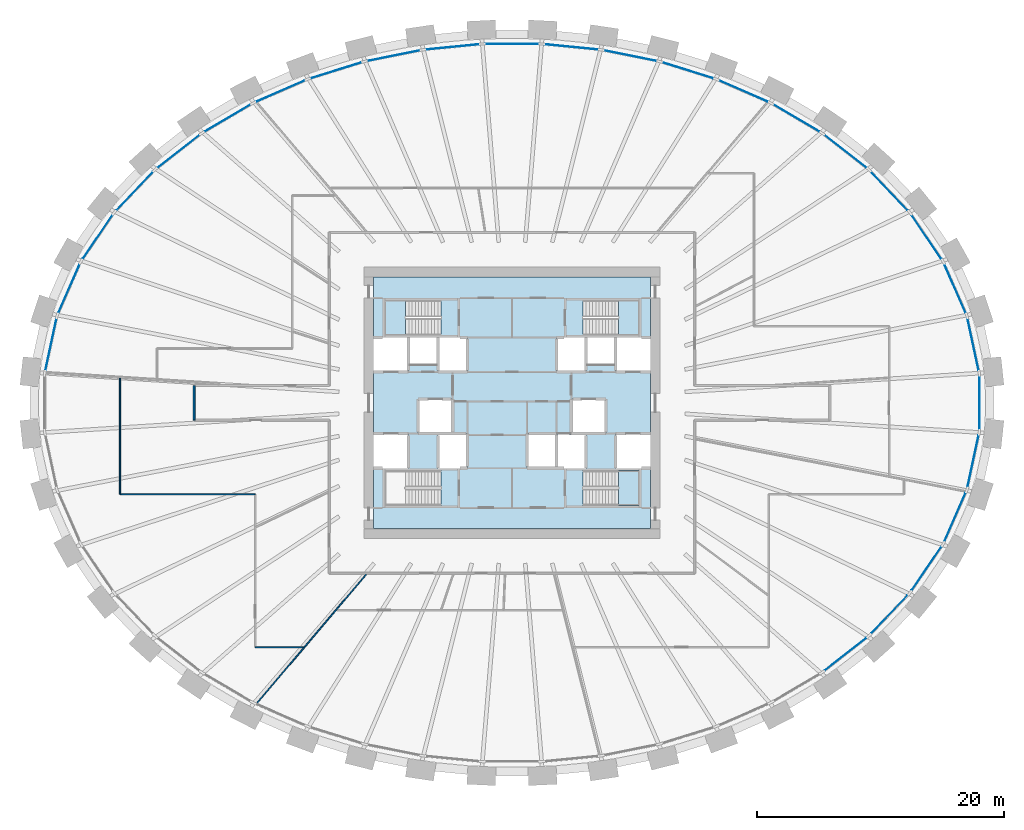
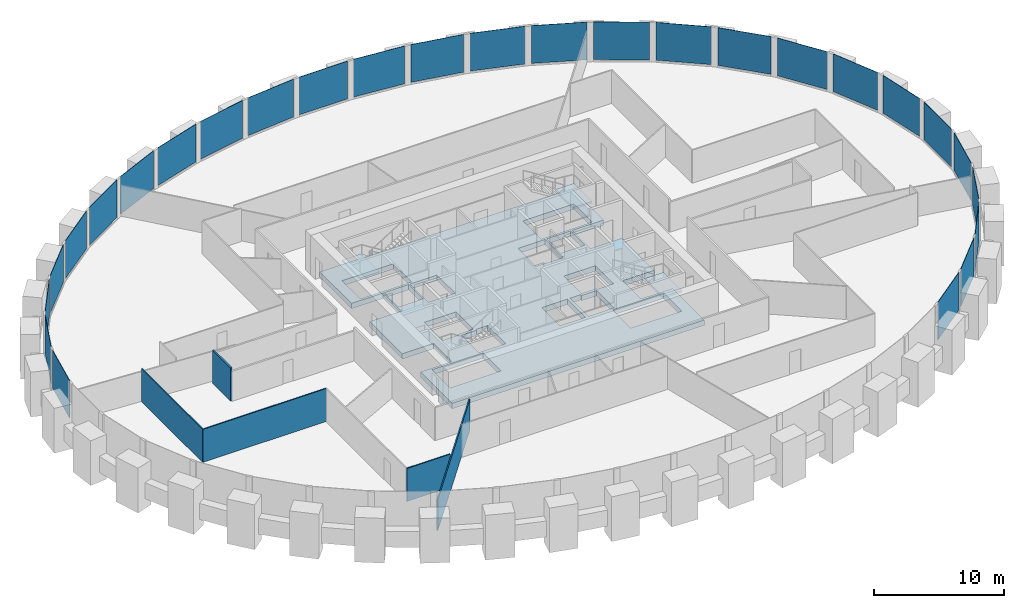
# One storey, part 5 of 11: 27 plates, 5 walls, 4 slabs, 4 elements without a shape of their own.
"""IFC4 building model written with IfcOpenShell, lengths in metres."""

import ifcopenshell
import ifcopenshell.guid

model = None  # the IFC model being written
_history = None  # IfcOwnerHistory: only IFC2X3 demands one
_inside = {}  # id of a spatial element -> (the spatial element, [elements in it])
_under = {}  # id of a project, library or spatial element -> (it, [spatial elements below it])
_declared = {}  # id of a project -> (the project, [libraries it declares])
_typed = {}  # id of a type object -> (the type object, [elements of that type])
_made_of = {}  # id of a material, layer set ... -> (it, [elements and type objects made of it])


def new_model(schema):
    """Start an empty IFC model of exactly this schema.

    Asked for "IFC4X3", IfcOpenShell would pick the latest addendum, in which some entities
    have other attributes; the version numbers below select the first issue.
    IFC2X3 requires an IfcOwnerHistory on every rooted entity: one is made here for all.
    """
    global model, _history
    if schema == "IFC4X3":
        model = ifcopenshell.file(schema_version=(4, 3, 0, 0))
    else:
        model = ifcopenshell.file(schema=schema)
    _inside.clear()
    _under.clear()
    _declared.clear()
    _typed.clear()
    _made_of.clear()
    _history = None
    if model.schema == "IFC2X3":
        org = make("IfcOrganization", Name="unknown")
        user = make(
            "IfcPersonAndOrganization",
            ThePerson=make("IfcPerson", FamilyName="unknown"),
            TheOrganization=org,
        )
        app = make(
            "IfcApplication",
            ApplicationDeveloper=org,
            Version="unknown",
            ApplicationFullName="unknown",
            ApplicationIdentifier="unknown",
        )
        _history = make(
            "IfcOwnerHistory",
            OwningUser=user,
            OwningApplication=app,
            ChangeAction="ADDED",
            CreationDate=0,
        )
    return model


def make(cls, **values):
    """One entity of the class cls with the attributes given. An attribute that is None is left unset."""
    return model.create_entity(
        cls, **{name: value for name, value in values.items() if value is not None}
    )


def rooted(cls, **values):
    """An entity with a GlobalId (a new one), such as an element, a storey or a relation."""
    return make(cls, GlobalId=ifcopenshell.guid.new(), OwnerHistory=_history, **values)


def si_unit(unit_type, name, prefix=None):
    """IfcSIUnit, for example si_unit("LENGTHUNIT", "METRE", prefix="MILLI")."""
    return make("IfcSIUnit", UnitType=unit_type, Prefix=prefix, Name=name)


def assignment(units):
    """IfcUnitAssignment: the units of a project."""
    return None if units is None else make("IfcUnitAssignment", Units=units)


def point(xyz):
    """IfcCartesianPoint."""
    return None if xyz is None else make("IfcCartesianPoint", Coordinates=xyz)


def direction(xyz):
    """IfcDirection."""
    return None if xyz is None else make("IfcDirection", DirectionRatios=xyz)


def frame(location, z_axis=None, x_axis=None):
    """IfcAxis2Placement3D, a coordinate frame: its origin and axes. An axis left out is left unset."""
    return make(
        "IfcAxis2Placement3D",
        Location=point(location),
        Axis=direction(z_axis),
        RefDirection=direction(x_axis),
    )


def frame_2d(location, x_axis=None):
    """IfcAxis2Placement2D, a coordinate frame in the plane: its origin and x axis."""
    return make(
        "IfcAxis2Placement2D", Location=point(location), RefDirection=direction(x_axis)
    )


def origin():
    """The frame at (0, 0, 0) with its axes left unset."""
    return frame((0.0, 0.0, 0.0))


def origin_2d():
    """The frame at (0, 0) in the plane with its x axis left unset."""
    return frame_2d((0.0, 0.0))


def place(relative_to, where):
    """IfcLocalPlacement: puts the frame where relative to a parent placement (None: the world)."""
    return make(
        "IfcLocalPlacement", PlacementRelTo=relative_to, RelativePlacement=where
    )


def context(
    kind, dimensions, precision=None, world=None, true_north=None, identifier=None
):
    """IfcGeometricRepresentationContext, for example the 3D "Model" context."""
    return make(
        "IfcGeometricRepresentationContext",
        ContextIdentifier=identifier,
        ContextType=kind,
        CoordinateSpaceDimension=dimensions,
        Precision=precision,
        WorldCoordinateSystem=world,
        TrueNorth=true_north,
    )


def subcontext(parent, identifier, kind, view, scale=None):
    """IfcGeometricRepresentationSubContext, for example "Body" below "Model"."""
    return make(
        "IfcGeometricRepresentationSubContext",
        ContextIdentifier=identifier,
        ContextType=kind,
        ParentContext=parent,
        TargetScale=scale,
        TargetView=view,
    )


def project(units=None, contexts=None):
    """IfcProject with its units and contexts."""
    return rooted(
        "IfcProject",
        Name="project",
        RepresentationContexts=contexts,
        UnitsInContext=assignment(units),
    )


def spatial(cls, under=None, at=None, **own):
    """A site, building, storey or space (cls), placed at a placement, below another one or the project."""
    s = rooted(cls, ObjectPlacement=at, **own)
    if under is not None:
        _under.setdefault(under.id(), (under, []))[1].append(s)
    return s


def polyline(points):
    """IfcPolyline through the points."""
    return make("IfcPolyline", Points=[point(p) for p in points])


def profile(cls, at=None, kind="AREA", **sizes):
    """A parametric profile (cls). Its sizes go by their IFC names, for example OverallWidth=200.0."""
    return make(cls, ProfileType=kind, Position=at, **sizes)


def rectangle(**sizes):
    """IfcRectangleProfileDef."""
    return profile("IfcRectangleProfileDef", **sizes)


def outline(outer, holes=None, kind="AREA"):
    """IfcArbitraryClosedProfileDef: a profile drawn as a closed curve; with holes, ...WithVoids."""
    if holes is None:
        return make("IfcArbitraryClosedProfileDef", ProfileType=kind, OuterCurve=outer)
    return make(
        "IfcArbitraryProfileDefWithVoids",
        ProfileType=kind,
        OuterCurve=outer,
        InnerCurves=holes,
    )


def extrude(swept, where, along, depth):
    """IfcExtrudedAreaSolid: the profile swept, set in the frame where, extruded along a direction by depth."""
    return make(
        "IfcExtrudedAreaSolid",
        SweptArea=swept,
        Position=where,
        ExtrudedDirection=direction(along),
        Depth=depth,
    )


def shape(context_of_items, identifier, shape_type, items):
    """IfcShapeRepresentation: the items that make up one representation, for example the "Body"."""
    return make(
        "IfcShapeRepresentation",
        ContextOfItems=context_of_items,
        RepresentationIdentifier=identifier,
        RepresentationType=shape_type,
        Items=items,
    )


def source(mapping_origin, context_of_items, identifier, shape_type, items):
    """IfcRepresentationMap: a shape defined once, which mapped items show again and again."""
    return make(
        "IfcRepresentationMap",
        MappingOrigin=mapping_origin,
        MappedRepresentation=shape(context_of_items, identifier, shape_type, items),
    )


def transform(
    local_origin,
    x_axis=None,
    y_axis=None,
    z_axis=None,
    scale=None,
    scale2=None,
    scale3=None,
    uniform=True,
):
    """IfcCartesianTransformationOperator3D, or its non-uniform kind. x_axis, y_axis, z_axis: its Axis1, 2, 3."""
    if uniform:
        return make(
            "IfcCartesianTransformationOperator3D",
            Axis1=direction(x_axis),
            Axis2=direction(y_axis),
            LocalOrigin=point(local_origin),
            Scale=scale,
            Axis3=direction(z_axis),
        )
    return make(
        "IfcCartesianTransformationOperator3DnonUniform",
        Axis1=direction(x_axis),
        Axis2=direction(y_axis),
        LocalOrigin=point(local_origin),
        Scale=scale,
        Axis3=direction(z_axis),
        Scale2=scale2,
        Scale3=scale3,
    )


def mapped(mapping_source, mapping_target):
    """IfcMappedItem: shows the shape of a source again, moved by a transform."""
    return make(
        "IfcMappedItem", MappingSource=mapping_source, MappingTarget=mapping_target
    )


def material(Name=None, Category=None):
    """IfcMaterial."""
    return make("IfcMaterial", Name=Name, Category=Category)


def layer(
    of_material, thickness, ventilated=None, Name=None, Category=None, Priority=None
):
    """IfcMaterialLayer: one layer of a wall or slab, of a material (None: an air gap)."""
    return make(
        "IfcMaterialLayer",
        Material=of_material,
        LayerThickness=thickness,
        IsVentilated=ventilated,
        Name=Name,
        Category=Category,
        Priority=Priority,
    )


def layer_set(layers, Name=None):
    """IfcMaterialLayerSet."""
    return make("IfcMaterialLayerSet", MaterialLayers=layers, LayerSetName=Name)


def made_of(thing, what):
    """Note that an element or type object is made of a material, layer set ...; save() writes the relation."""
    if what is not None:
        _made_of.setdefault(what.id(), (what, []))[1].append(thing)
    return thing


def type_object(cls, material=None, **own):
    """A type object (cls), such as IfcWallType, which elements share."""
    return made_of(rooted(cls, **own), material)


def element(
    cls,
    number,
    at=None,
    inside=None,
    cuts=None,
    type_object=None,
    material=None,
    context=None,
    identifier="Body",
    shape_type=None,
    held_by="IfcProductDefinitionShape",
    body=None,
    shapes=None,
    **own,
):
    """One element of the class cls, such as IfcWall. Its Tag is "e" and its number.

    at: its placement. inside: the storey or other place that contains it. cuts: it is an
    opening in that element (IfcRelVoidsElement). A single representation is given by context,
    identifier, shape_type and body (its items); several are given by shapes. held_by: the class
    of the entity that holds the representations. save() writes the other relations.
    """
    e = rooted(cls, Tag="e%d" % number, ObjectPlacement=at, **own)
    if body is not None:
        shapes = [shape(context, identifier, shape_type, body)]
    if shapes is not None:
        e.Representation = make(held_by, Representations=shapes)
    if inside is not None:
        _inside.setdefault(inside.id(), (inside, []))[1].append(e)
    if cuts is not None:
        rooted(
            "IfcRelVoidsElement", RelatingBuildingElement=cuts, RelatedOpeningElement=e
        )
    if type_object is not None:
        _typed.setdefault(type_object.id(), (type_object, []))[1].append(e)
    return made_of(e, material)


def aggregate(whole, parts):
    """IfcRelAggregates: a whole, such as a stair, and the parts it consists of."""
    return rooted("IfcRelAggregates", RelatingObject=whole, RelatedObjects=parts)


def save(model, path):
    """Write the relations noted so far, then the file.

    IfcRelAggregates (storeys below a building ...), IfcRelContainedInSpatialStructure (elements
    in a storey), IfcRelDefinesByType, IfcRelAssociatesMaterial and IfcRelDeclares: one each for
    every whole, place, type object, material and project.
    """
    for whole, parts in _under.values():
        aggregate(whole, parts)
    for where, things in _inside.values():
        rooted(
            "IfcRelContainedInSpatialStructure",
            RelatedElements=things,
            RelatingStructure=where,
        )
    for kind, things in _typed.values():
        rooted("IfcRelDefinesByType", RelatedObjects=things, RelatingType=kind)
    for what, things in _made_of.values():
        rooted("IfcRelAssociatesMaterial", RelatedObjects=things, RelatingMaterial=what)
    for by, libraries in _declared.values():
        rooted("IfcRelDeclares", RelatingContext=by, RelatedDefinitions=libraries)
    model.write(path)


model = new_model("IFC4")

# Units and contexts
model_context = context("Model", 3, precision=1e-05, world=origin(), true_north=direction((0.0, 1.0)))
body_context = subcontext(model_context, "Body", "Model", "MODEL_VIEW")
ifc_project = project(units=[si_unit("LENGTHUNIT", "METRE"), si_unit("AREAUNIT", "SQUARE_METRE"), si_unit("VOLUMEUNIT", "CUBIC_METRE"), si_unit("PLANEANGLEUNIT", "RADIAN"), si_unit("MASSUNIT", "GRAM", prefix="KILO")], contexts=[model_context])

# Site, building, storey
site_placement = place(None, origin())
site = spatial("IfcSite", under=ifc_project, at=site_placement, CompositionType="ELEMENT")
building_placement = place(site_placement, origin())
building = spatial("IfcBuilding", under=site, at=building_placement, Name="Embergate Tower", CompositionType="ELEMENT")
storey_placement = place(building_placement, frame((0.0, 0.0, 132.0)))
storey = spatial("IfcBuildingStorey", under=building, at=storey_placement, Name="L28", CompositionType="ELEMENT", Elevation=132.0)

# Curtain wall, plates
ifc_material_1 = material(Name="Aluminium and glass", Category="aluminium")
curtain_wall_type = type_object("IfcCurtainWallType", Name="Recessed office glazing", PredefinedType="NOTDEFINED", material=ifc_material_1)
curtain_wall_placement = place(storey_placement, origin())
curtain_wall = element("IfcCurtainWall", 1, at=curtain_wall_placement, inside=storey, type_object=curtain_wall_type, Name="Recessed office glazing ring", ObjectType="RECESSED OFFICE GLAZING", PredefinedType="USERDEFINED")
ifc_material_2 = material(Name="Triple glazing, low-emissivity coating", Category="glass")
ifc_layer_1 = layer(ifc_material_2, 0.035888671875)
ifc_layer_set_1 = layer_set([ifc_layer_1], Name="Triple glazing, low-emissivity coating")
plate_type = type_object("IfcPlateType", Name="Office glazing unit", PredefinedType="CURTAIN_PANEL", material=ifc_layer_set_1)
shared_shape_1 = source(origin(), body_context, "Body", "SweptSolid", [
    extrude(rectangle(XDim=4.257080078125, YDim=0.035888671875, at=origin_2d()), origin(), (0.0, 0.0, 1.0), 3.550048828125),
])
plate_1_placement = place(storey_placement, frame((37.345458984375, 4.722412109375, 0.14990234375), z_axis=(0.0, 0.0, 1.0), x_axis=(-0.210398391177, 0.97761573074, 0.0)))
plate_1 = element("IfcPlate", 2, at=plate_1_placement, type_object=plate_type, Name="CW panel 1.1", PredefinedType="CURTAIN_PANEL", context=body_context, shape_type="MappedRepresentation", body=[
    mapped(shared_shape_1, transform((0.0, 0.0, 0.0))),
])
plate_2_placement = place(storey_placement, frame((-37.345458984375, 4.722412109375, 0.14990234375), z_axis=(0.0, 0.0, 1.0), x_axis=(-0.210398391177, -0.97761573074, 0.0)))
plate_2 = element("IfcPlate", 3, at=plate_2_placement, type_object=plate_type, Name="CW panel 21.1", PredefinedType="CURTAIN_PANEL", context=body_context, shape_type="MappedRepresentation", body=[
    mapped(shared_shape_1, transform((0.0, 0.0, 0.0))),
])
plate_3_placement = place(storey_placement, frame((37.345458984375, -4.722412109375, 0.14990234375), z_axis=(0.0, 0.0, 1.0), x_axis=(0.210398391177, 0.97761573074, 0.0)))
plate_3 = element("IfcPlate", 4, at=plate_3_placement, type_object=plate_type, Name="CW panel 43.1", PredefinedType="CURTAIN_PANEL", context=body_context, shape_type="MappedRepresentation", body=[
    mapped(shared_shape_1, transform((0.0, 0.0, 0.0))),
])
shared_shape_2 = source(origin(), body_context, "Body", "SweptSolid", [
    extrude(rectangle(XDim=4.26416015625, YDim=0.035888671875, at=origin_2d()), origin(), (0.0, 0.0, 1.0), 3.550048828125),
])
plate_4_placement = place(storey_placement, frame((35.882080078125, 9.248291015625, 0.14990234375), z_axis=(0.0, 0.0, 1.0), x_axis=(-0.401655297873, 0.915790926844, 0.0)))
plate_4 = element("IfcPlate", 5, at=plate_4_placement, type_object=plate_type, Name="CW panel 2.1", PredefinedType="CURTAIN_PANEL", context=body_context, shape_type="MappedRepresentation", body=[
    mapped(shared_shape_2, transform((0.0, 0.0, 0.0))),
])
plate_5_placement = place(storey_placement, frame((-35.882080078125, 9.248291015625, 0.14990234375), z_axis=(0.0, 0.0, 1.0), x_axis=(-0.401655297873, -0.915790926844, 0.0)))
plate_5 = element("IfcPlate", 6, at=plate_5_placement, type_object=plate_type, Name="CW panel 20.1", PredefinedType="CURTAIN_PANEL", context=body_context, shape_type="MappedRepresentation", body=[
    mapped(shared_shape_2, transform((0.0, 0.0, 0.0))),
])
plate_6_placement = place(storey_placement, frame((35.882080078125, -9.248291015625, 0.14990234375), z_axis=(0.0, 0.0, 1.0), x_axis=(0.401655297873, 0.915790926844, 0.0)))
plate_6 = element("IfcPlate", 7, at=plate_6_placement, type_object=plate_type, Name="CW panel 42.1", PredefinedType="CURTAIN_PANEL", context=body_context, shape_type="MappedRepresentation", body=[
    mapped(shared_shape_2, transform((0.0, 0.0, 0.0))),
])
shared_shape_3 = source(origin(), body_context, "Body", "SweptSolid", [
    extrude(rectangle(XDim=4.273193359375, YDim=0.035888671875, at=origin_2d()), origin(), (0.0, 0.0, 1.0), 3.550048828125),
])
plate_7_placement = place(storey_placement, frame((33.573486328125, 13.420654296875, 0.14990234375), z_axis=(0.0, 0.0, 1.0), x_axis=(-0.562344628355, 0.826902968286, 0.0)))
plate_7 = element("IfcPlate", 8, at=plate_7_placement, type_object=plate_type, Name="CW panel 3.1", PredefinedType="CURTAIN_PANEL", context=body_context, shape_type="MappedRepresentation", body=[
    mapped(shared_shape_3, transform((0.0, 0.0, 0.0))),
])
plate_8_placement = place(storey_placement, frame((-33.573486328125, 13.420654296875, 0.14990234375), z_axis=(0.0, 0.0, 1.0), x_axis=(-0.562344628355, -0.826902968286, 0.0)))
plate_8 = element("IfcPlate", 9, at=plate_8_placement, type_object=plate_type, Name="CW panel 19.1", PredefinedType="CURTAIN_PANEL", context=body_context, shape_type="MappedRepresentation", body=[
    mapped(shared_shape_3, transform((0.0, 0.0, 0.0))),
])
plate_9_placement = place(storey_placement, frame((33.573486328125, -13.420654296875, 0.14990234375), z_axis=(0.0, 0.0, 1.0), x_axis=(0.562344628355, 0.826902968286, 0.0)))
plate_9 = element("IfcPlate", 10, at=plate_9_placement, type_object=plate_type, Name="CW panel 41.1", PredefinedType="CURTAIN_PANEL", context=body_context, shape_type="MappedRepresentation", body=[
    mapped(shared_shape_3, transform((0.0, 0.0, 0.0))),
])
shared_shape_4 = source(origin(), body_context, "Body", "SweptSolid", [
    extrude(rectangle(XDim=4.28173828125, YDim=0.035888671875, at=origin_2d()), origin(), (0.0, 0.0, 1.0), 3.550048828125),
])
plate_10_placement = place(storey_placement, frame((30.569091796875, 17.139892578125, 0.14990234375), z_axis=(0.0, 0.0, 1.0), x_axis=(-0.690136310586, 0.723679399189, 0.0)))
plate_10 = element("IfcPlate", 11, at=plate_10_placement, type_object=plate_type, Name="CW panel 4.1", PredefinedType="CURTAIN_PANEL", context=body_context, shape_type="MappedRepresentation", body=[
    mapped(shared_shape_4, transform((0.0, 0.0, 0.0))),
])
plate_11_placement = place(storey_placement, frame((-30.569091796875, 17.139892578125, 0.14990234375), z_axis=(0.0, 0.0, 1.0), x_axis=(-0.690136310586, -0.723679399189, 0.0)))
plate_11 = element("IfcPlate", 12, at=plate_11_placement, type_object=plate_type, Name="CW panel 18.1", PredefinedType="CURTAIN_PANEL", context=body_context, shape_type="MappedRepresentation", body=[
    mapped(shared_shape_4, transform((0.0, 0.0, 0.0))),
])
plate_12_placement = place(storey_placement, frame((30.569091796875, -17.139892578125, 0.14990234375), z_axis=(0.0, 0.0, 1.0), x_axis=(0.690136310586, 0.723679399189, 0.0)))
plate_12 = element("IfcPlate", 13, at=plate_12_placement, type_object=plate_type, Name="CW panel 40.1", PredefinedType="CURTAIN_PANEL", context=body_context, shape_type="MappedRepresentation", body=[
    mapped(shared_shape_4, transform((0.0, 0.0, 0.0))),
])
shared_shape_5 = source(origin(), body_context, "Body", "SweptSolid", [
    extrude(rectangle(XDim=4.289306640625, YDim=0.035888671875, at=origin_2d()), origin(), (0.0, 0.0, 1.0), 3.550048828125),
])
plate_13_placement = place(storey_placement, frame((27.016357421875, 20.35693359375, 0.14990234375), z_axis=(0.0, 0.0, 1.0), x_axis=(-0.788322266931, 0.615262548398, 0.0)))
plate_13 = element("IfcPlate", 14, at=plate_13_placement, type_object=plate_type, Name="CW panel 5.1", PredefinedType="CURTAIN_PANEL", context=body_context, shape_type="MappedRepresentation", body=[
    mapped(shared_shape_5, transform((0.0, 0.0, 0.0))),
])
plate_14_placement = place(storey_placement, frame((-27.016357421875, 20.35693359375, 0.14990234375), z_axis=(0.0, 0.0, 1.0), x_axis=(-0.788322266931, -0.615262548398, 0.0)))
plate_14 = element("IfcPlate", 15, at=plate_14_placement, type_object=plate_type, Name="CW panel 17.1", PredefinedType="CURTAIN_PANEL", context=body_context, shape_type="MappedRepresentation", body=[
    mapped(shared_shape_5, transform((0.0, 0.0, 0.0))),
])
plate_15_placement = place(storey_placement, frame((27.016357421875, -20.35693359375, 0.14990234375), z_axis=(0.0, 0.0, 1.0), x_axis=(0.788322266931, 0.615262548398, 0.0)))
plate_15 = element("IfcPlate", 16, at=plate_15_placement, type_object=plate_type, Name="CW panel 39.1", PredefinedType="CURTAIN_PANEL", context=body_context, shape_type="MappedRepresentation", body=[
    mapped(shared_shape_5, transform((0.0, 0.0, 0.0))),
])
shared_shape_6 = source(origin(), body_context, "Body", "SweptSolid", [
    extrude(rectangle(XDim=4.29541015625, YDim=0.035888671875, at=origin_2d()), origin(), (0.0, 0.0, 1.0), 3.550048828125),
])
plate_16_placement = place(storey_placement, frame((23.045166015625, 23.056640625, 0.14990234375), z_axis=(0.0, 0.0, 1.0), x_axis=(-0.862054052374, 0.506816348183, 0.0)))
plate_16 = element("IfcPlate", 17, at=plate_16_placement, type_object=plate_type, Name="CW panel 6.1", PredefinedType="CURTAIN_PANEL", context=body_context, shape_type="MappedRepresentation", body=[
    mapped(shared_shape_6, transform((0.0, 0.0, 0.0))),
])
plate_17_placement = place(storey_placement, frame((-23.045166015625, 23.056640625, 0.14990234375), z_axis=(0.0, 0.0, 1.0), x_axis=(-0.862054052374, -0.506816348183, 0.0)))
plate_17 = element("IfcPlate", 18, at=plate_17_placement, type_object=plate_type, Name="CW panel 16.1", PredefinedType="CURTAIN_PANEL", context=body_context, shape_type="MappedRepresentation", body=[
    mapped(shared_shape_6, transform((0.0, 0.0, 0.0))),
])
shared_shape_7 = source(origin(), body_context, "Body", "SweptSolid", [
    extrude(rectangle(XDim=4.2998046875, YDim=0.035888671875, at=origin_2d()), origin(), (0.0, 0.0, 1.0), 3.550048828125),
])
plate_18_placement = place(storey_placement, frame((18.761474609375, 25.242431640625, 0.14990234375), z_axis=(0.0, 0.0, 1.0), x_axis=(-0.916236910986, 0.400636896638, 0.0)))
plate_18 = element("IfcPlate", 19, at=plate_18_placement, type_object=plate_type, Name="CW panel 7.1", PredefinedType="CURTAIN_PANEL", context=body_context, shape_type="MappedRepresentation", body=[
    mapped(shared_shape_7, transform((0.0, 0.0, 0.0))),
])
plate_19_placement = place(storey_placement, frame((-18.761474609375, 25.242431640625, 0.14990234375), z_axis=(0.0, 0.0, 1.0), x_axis=(-0.916236910986, -0.400636896638, 0.0)))
plate_19 = element("IfcPlate", 20, at=plate_19_placement, type_object=plate_type, Name="CW panel 15.1", PredefinedType="CURTAIN_PANEL", context=body_context, shape_type="MappedRepresentation", body=[
    mapped(shared_shape_7, transform((0.0, 0.0, 0.0))),
])
shared_shape_8 = source(origin(), body_context, "Body", "SweptSolid", [
    extrude(rectangle(XDim=4.30322265625, YDim=0.035888671875, at=origin_2d()), origin(), (0.0, 0.0, 1.0), 3.550048828125),
])
plate_20_placement = place(storey_placement, frame((14.2509765625, 26.925048828125, 0.14990234375), z_axis=(0.0, 0.0, 1.0), x_axis=(-0.954772736126, 0.297336547283, 0.0)))
plate_20 = element("IfcPlate", 21, at=plate_20_placement, type_object=plate_type, Name="CW panel 8.1", PredefinedType="CURTAIN_PANEL", context=body_context, shape_type="MappedRepresentation", body=[
    mapped(shared_shape_8, transform((0.0, 0.0, 0.0))),
])
plate_21_placement = place(storey_placement, frame((-14.2509765625, 26.925048828125, 0.14990234375), z_axis=(0.0, 0.0, 1.0), x_axis=(-0.954772736126, -0.297336547283, 0.0)))
plate_21 = element("IfcPlate", 22, at=plate_21_placement, type_object=plate_type, Name="CW panel 14.1", PredefinedType="CURTAIN_PANEL", context=body_context, shape_type="MappedRepresentation", body=[
    mapped(shared_shape_8, transform((0.0, 0.0, 0.0))),
])
shared_shape_9 = source(origin(), body_context, "Body", "SweptSolid", [
    extrude(rectangle(XDim=4.305419921875, YDim=0.035888671875, at=origin_2d()), origin(), (0.0, 0.0, 1.0), 3.550048828125),
])
plate_22_placement = place(storey_placement, frame((9.582763671875, 28.116455078125, 0.14990234375), z_axis=(0.0, 0.0, 1.0), x_axis=(-0.980475907409, 0.196639250889, 0.0)))
plate_22 = element("IfcPlate", 23, at=plate_22_placement, type_object=plate_type, Name="CW panel 9.1", PredefinedType="CURTAIN_PANEL", context=body_context, shape_type="MappedRepresentation", body=[
    mapped(shared_shape_9, transform((0.0, 0.0, 0.0))),
])
plate_23_placement = place(storey_placement, frame((-9.582763671875, 28.116455078125, 0.14990234375), z_axis=(0.0, 0.0, 1.0), x_axis=(-0.980475907409, -0.196639250889, 0.0)))
plate_23 = element("IfcPlate", 24, at=plate_23_placement, type_object=plate_type, Name="CW panel 13.1", PredefinedType="CURTAIN_PANEL", context=body_context, shape_type="MappedRepresentation", body=[
    mapped(shared_shape_9, transform((0.0, 0.0, 0.0))),
])
shared_shape_10 = source(origin(), body_context, "Body", "SweptSolid", [
    extrude(rectangle(XDim=4.306640625, YDim=0.035888671875, at=origin_2d()), origin(), (0.0, 0.0, 1.0), 3.550048828125),
])
plate_24_placement = place(storey_placement, frame((4.815185546875, 28.826904296875, 0.14990234375), z_axis=(0.0, 0.0, 1.0), x_axis=(-0.995203355531, 0.09782781373, 0.0)))
plate_24 = element("IfcPlate", 25, at=plate_24_placement, type_object=plate_type, Name="CW panel 10.1", PredefinedType="CURTAIN_PANEL", context=body_context, shape_type="MappedRepresentation", body=[
    mapped(shared_shape_10, transform((0.0, 0.0, 0.0))),
])
plate_25_placement = place(storey_placement, frame((-4.815185546875, 28.826904296875, 0.14990234375), z_axis=(0.0, 0.0, 1.0), x_axis=(-0.995203355531, -0.09782781373, 0.0)))
plate_25 = element("IfcPlate", 26, at=plate_25_placement, type_object=plate_type, Name="CW panel 12.1", PredefinedType="CURTAIN_PANEL", context=body_context, shape_type="MappedRepresentation", body=[
    mapped(shared_shape_10, transform((0.0, 0.0, 0.0))),
])
shared_shape_11 = source(origin(), body_context, "Body", "SweptSolid", [
    extrude(rectangle(XDim=4.30712890625, YDim=0.035888671875, at=origin_2d()), origin(), (0.0, 0.0, 1.0), 3.550048828125),
])
plate_26_placement = place(storey_placement, frame((0.0, 29.06298828125, 0.14990234375), z_axis=(0.0, 0.0, 1.0), x_axis=(-1.0, 0.0, 0.0)))
plate_26 = element("IfcPlate", 27, at=plate_26_placement, type_object=plate_type, Name="CW panel 11.1", PredefinedType="CURTAIN_PANEL", context=body_context, shape_type="MappedRepresentation", body=[
    mapped(shared_shape_11, transform((0.0, 0.0, 0.0))),
])
shared_shape_12 = source(origin(), body_context, "Body", "SweptSolid", [
    extrude(rectangle(XDim=4.25439453125, YDim=0.035888671875, at=origin_2d()), origin(), (0.0, 0.0, 1.0), 3.550048828125),
])
plate_27_placement = place(storey_placement, frame((37.84814453125, 0.0, 0.14990234375), z_axis=(0.0, 0.0, 1.0), x_axis=(0.0, 1.0, 0.0)))
plate_27 = element("IfcPlate", 28, at=plate_27_placement, type_object=plate_type, Name="CW panel 44.1", PredefinedType="CURTAIN_PANEL", context=body_context, shape_type="MappedRepresentation", body=[
    mapped(shared_shape_12, transform((0.0, 0.0, 0.0))),
])
aggregate(curtain_wall, [plate_1, plate_4, plate_7, plate_10, plate_13, plate_16, plate_18, plate_20, plate_22, plate_24, plate_26, plate_25, plate_23, plate_21, plate_19, plate_17, plate_14, plate_11, plate_8, plate_5, plate_2, plate_15, plate_12, plate_9, plate_6, plate_3, plate_27])

# Stair, slab
ifc_material_3 = material(Name="Exit stair")
stair_type = type_object("IfcStairType", Name="Exit stair", PredefinedType="HALF_TURN_STAIR", material=ifc_material_3)
stair_1_placement = place(storey_placement, origin())
stair_1 = element("IfcStair", 29, at=stair_1_placement, inside=storey, type_object=stair_type, Name="L28 Exit stair 1", PredefinedType="HALF_TURN_STAIR")
ifc_material_4 = material(Name="Concrete C40", Category="concrete")
ifc_layer_2 = layer(ifc_material_4, 0.199951171875)
ifc_layer_set_2 = layer_set([ifc_layer_2], Name="Concrete C40")
slab_type_1 = type_object("IfcSlabType", Name="Stair landing reinforced concrete", PredefinedType="LANDING", material=ifc_layer_set_2)
shared_shape_13 = source(origin(), body_context, "Body", "SweptSolid", [
    extrude(outline(polyline([(0.0, 0.0), (1.68994140625, 0.0), (1.68994140625, 2.800048828125), (0.0, 2.800048828125), (0.0, 0.0)])), origin(), (0.0, 0.0, 1.0), 0.199951171875),
])
slab_1_placement = place(storey_placement, frame((-10.300048828125, 5.5, 1.75)))
slab_1 = element("IfcSlab", 30, at=slab_1_placement, type_object=slab_type_1, Name="ST1 landing 1", PredefinedType="LANDING", context=body_context, shape_type="MappedRepresentation", body=[
    mapped(shared_shape_13, transform((0.0, 0.0, 0.0))),
])
aggregate(stair_1, [slab_1])

stair_2_placement = place(storey_placement, origin())
stair_2 = element("IfcStair", 31, at=stair_2_placement, inside=storey, type_object=stair_type, Name="L28 Exit stair 2", PredefinedType="HALF_TURN_STAIR")
slab_2_placement = place(storey_placement, frame((8.610107421875, 5.5, 1.75)))
slab_2 = element("IfcSlab", 32, at=slab_2_placement, type_object=slab_type_1, Name="ST2 landing 1", PredefinedType="LANDING", context=body_context, shape_type="MappedRepresentation", body=[
    mapped(shared_shape_13, transform((0.0, 0.0, 0.0))),
])
aggregate(stair_2, [slab_2])

stair_3_placement = place(storey_placement, origin())
stair_3 = element("IfcStair", 33, at=stair_3_placement, inside=storey, type_object=stair_type, Name="L28 Exit stair 4", PredefinedType="HALF_TURN_STAIR")
slab_3_placement = place(storey_placement, frame((8.610107421875, -8.300048828125, 1.75)))
slab_3 = element("IfcSlab", 34, at=slab_3_placement, type_object=slab_type_1, Name="ST4 landing 1", PredefinedType="LANDING", context=body_context, shape_type="MappedRepresentation", body=[
    mapped(shared_shape_13, transform((0.0, 0.0, 0.0))),
])
aggregate(stair_3, [slab_3])

# Slab
ifc_layer_3 = layer(ifc_material_4, 0.5)
ifc_layer_set_3 = layer_set([ifc_layer_3], Name="Concrete C40")
slab_type_2 = type_object("IfcSlabType", Name="Core floor slab 500 reinforced concrete", PredefinedType="FLOOR", material=ifc_layer_set_3)
shared_shape_14 = source(origin(), body_context, "Body", "SweptSolid", [
    extrude(outline(polyline([(0.0, 0.0), (22.39990234375, 0.0), (22.39990234375, 4.89990234375), (19.599853515625, 4.89990234375), (19.599853515625, 7.699951171875), (22.39990234375, 7.699951171875), (22.39990234375, 12.699951171875), (19.599853515625, 12.699951171875), (19.599853515625, 15.5), (22.39990234375, 15.5), (22.39990234375, 20.39990234375), (0.0, 20.39990234375), (0.0, 15.5), (2.800048828125, 15.5), (2.800048828125, 12.699951171875), (0.0, 12.699951171875), (0.0, 7.699951171875), (2.800048828125, 7.699951171875), (2.800048828125, 4.89990234375), (0.0, 4.89990234375), (0.0, 0.0)]), holes=[polyline([(0.89990234375, 1.89990234375), (0.89990234375, 4.699951171875), (5.43994140625, 4.699951171875), (5.43994140625, 1.89990234375), (0.89990234375, 1.89990234375)]), polyline([(16.9599609375, 1.89990234375), (16.9599609375, 4.699951171875), (21.5, 4.699951171875), (21.5, 1.89990234375), (16.9599609375, 1.89990234375)]), polyline([(5.199951171875, 4.89990234375), (5.199951171875, 7.574951171875), (6.52490234375, 7.574951171875), (6.52490234375, 7.699951171875), (7.599853515625, 7.699951171875), (7.599853515625, 4.89990234375), (5.199951171875, 4.89990234375)]), polyline([(12.39990234375, 4.89990234375), (12.39990234375, 7.699951171875), (14.675048828125, 7.699951171875), (14.675048828125, 4.89990234375), (12.39990234375, 4.89990234375)]), polyline([(14.925048828125, 4.89990234375), (14.925048828125, 7.699951171875), (15.875, 7.699951171875), (15.875, 7.574951171875), (17.199951171875, 7.574951171875), (17.199951171875, 4.89990234375), (14.925048828125, 4.89990234375)]), polyline([(3.599853515625, 7.699951171875), (3.599853515625, 10.5), (6.39990234375, 10.5), (6.39990234375, 7.824951171875), (5.074951171875, 7.824951171875), (5.074951171875, 7.699951171875), (3.599853515625, 7.699951171875)]), polyline([(17.324951171875, 7.699951171875), (17.324951171875, 7.824951171875), (16.0, 7.824951171875), (16.0, 10.5), (18.800048828125, 10.5), (18.800048828125, 7.699951171875), (17.324951171875, 7.699951171875)]), polyline([(5.199951171875, 12.699951171875), (5.199951171875, 15.5), (7.599853515625, 15.5), (7.599853515625, 12.699951171875), (5.199951171875, 12.699951171875)]), polyline([(14.800048828125, 12.699951171875), (14.800048828125, 15.5), (17.199951171875, 15.5), (17.199951171875, 12.699951171875), (14.800048828125, 12.699951171875)]), polyline([(2.925048828125, 13.300048828125), (2.925048828125, 15.5), (5.074951171875, 15.5), (5.074951171875, 13.300048828125), (2.925048828125, 13.300048828125)]), polyline([(17.324951171875, 13.300048828125), (17.324951171875, 15.5), (19.474853515625, 15.5), (19.474853515625, 13.300048828125), (17.324951171875, 13.300048828125)]), polyline([(0.89990234375, 15.699951171875), (0.89990234375, 18.5), (5.43994140625, 18.5), (5.43994140625, 15.699951171875), (0.89990234375, 15.699951171875)]), polyline([(16.9599609375, 15.699951171875), (16.9599609375, 18.5), (21.5, 18.5), (21.5, 15.699951171875), (16.9599609375, 15.699951171875)])]), origin(), (0.0, 0.0, 1.0), 0.5),
])
slab_4_placement = place(storey_placement, frame((-11.199951171875, -10.199951171875, -0.5)))
element("IfcSlab", 35, at=slab_4_placement, inside=storey, type_object=slab_type_2, Name="Core floor slab", PredefinedType="FLOOR", context=body_context, shape_type="MappedRepresentation", body=[
    mapped(shared_shape_14, transform((0.0, 0.0, 0.0))),
])

# Walls
ifc_material_5 = material(Name="Corridor wall dry-lined 150")
ifc_layer_4 = layer(ifc_material_5, 0.14990234375)
ifc_layer_set_4 = layer_set([ifc_layer_4], Name="Corridor wall dry-lined 150")
wall_type_1 = type_object("IfcWallType", Name="Corridor wall dry-lined 150", PredefinedType="PARTITIONING", material=ifc_layer_set_4)
shared_shape_15 = source(origin(), body_context, "Body", "SweptSolid", [
    extrude(rectangle(XDim=2.7998046875, YDim=0.14990234375, at=frame_2d((1.39990234375, 0.0))), origin(), (0.0, 0.0, 1.0), 3.10009765625),
])
wall_1_placement = place(storey_placement, frame((-25.75, 1.39990234375, 0.0), z_axis=(0.0, 0.0, 1.0), x_axis=(0.0, -1.0, 0.0)))
element("IfcWall", 36, at=wall_1_placement, inside=storey, type_object=wall_type_1, Name="IP-2 wall", PredefinedType="PARTITIONING", context=body_context, shape_type="MappedRepresentation", body=[
    mapped(shared_shape_15, transform((0.0, 0.0, 0.0))),
])
ifc_material_6 = material(Name="Partition dry-lined 100")
ifc_layer_5 = layer(ifc_material_6, 0.10009765625)
ifc_layer_set_5 = layer_set([ifc_layer_5], Name="Partition dry-lined 100")
wall_type_2 = type_object("IfcWallType", Name="Partition dry-lined 100", PredefinedType="PARTITIONING", material=ifc_layer_set_5)
shared_shape_16 = source(origin(), body_context, "Body", "SweptSolid", [
    extrude(rectangle(XDim=13.751953125, YDim=0.10009765625, at=frame_2d((6.8759765625, 0.0))), origin(), (0.0, 0.0, 1.0), 2.89990234375),
])
wall_2_placement = place(storey_placement, frame((-20.717041015625, -24.387939453125, 0.0), z_axis=(0.0, 0.0, 1.0), x_axis=(0.647406181073, 0.762145154618, 0.0)))
element("IfcWall", 37, at=wall_2_placement, inside=storey, type_object=wall_type_2, Name="IP-1 wall", PredefinedType="PARTITIONING", context=body_context, shape_type="MappedRepresentation", body=[
    mapped(shared_shape_16, transform((0.0, 0.0, 0.0))),
])
shared_shape_17 = source(origin(), body_context, "Body", "SweptSolid", [
    extrude(rectangle(XDim=10.949951171875, YDim=0.10009765625, at=frame_2d((5.47509765625, 0.0))), origin(), (0.0, 0.0, 1.0), 3.10009765625),
])
wall_3_placement = place(storey_placement, frame((-20.800048828125, -7.39990234375, 0.0), z_axis=(0.0, 0.0, 1.0), x_axis=(-1.0, 0.0, 0.0)))
element("IfcWall", 38, at=wall_3_placement, inside=storey, type_object=wall_type_2, Name="IP-1 wall", PredefinedType="PARTITIONING", context=body_context, shape_type="MappedRepresentation", body=[
    mapped(shared_shape_17, transform((0.0, 0.0, 0.0))),
])
shared_shape_18 = source(origin(), body_context, "Body", "SweptSolid", [
    extrude(rectangle(XDim=9.393798828125, YDim=0.10009765625, at=frame_2d((4.69677734375, 0.0))), origin(), (0.0, 0.0, 1.0), 3.10009765625),
])
wall_4_placement = place(storey_placement, frame((-31.75, -7.39990234375, 0.0), z_axis=(0.0, 0.0, 1.0), x_axis=(0.0, 1.0, 0.0)))
element("IfcWall", 39, at=wall_4_placement, inside=storey, type_object=wall_type_2, Name="IP-1 wall", PredefinedType="PARTITIONING", context=body_context, shape_type="MappedRepresentation", body=[
    mapped(shared_shape_18, transform((0.0, 0.0, 0.0))),
])
shared_shape_19 = source(origin(), body_context, "Body", "SweptSolid", [
    extrude(rectangle(XDim=3.8720703125, YDim=0.10009765625, at=frame_2d((1.93603515625, 0.0))), origin(), (0.0, 0.0, 1.0), 3.10009765625),
])
wall_5_placement = place(storey_placement, frame((-20.800048828125, -19.800048828125, 0.0), z_axis=(0.0, 0.0, 1.0), x_axis=(1.0, 0.0, 0.0)))
element("IfcWall", 40, at=wall_5_placement, inside=storey, type_object=wall_type_2, Name="IP-1 wall", PredefinedType="PARTITIONING", context=body_context, shape_type="MappedRepresentation", body=[
    mapped(shared_shape_19, transform((0.0, 0.0, 0.0))),
])

save(model, "model.ifc")
